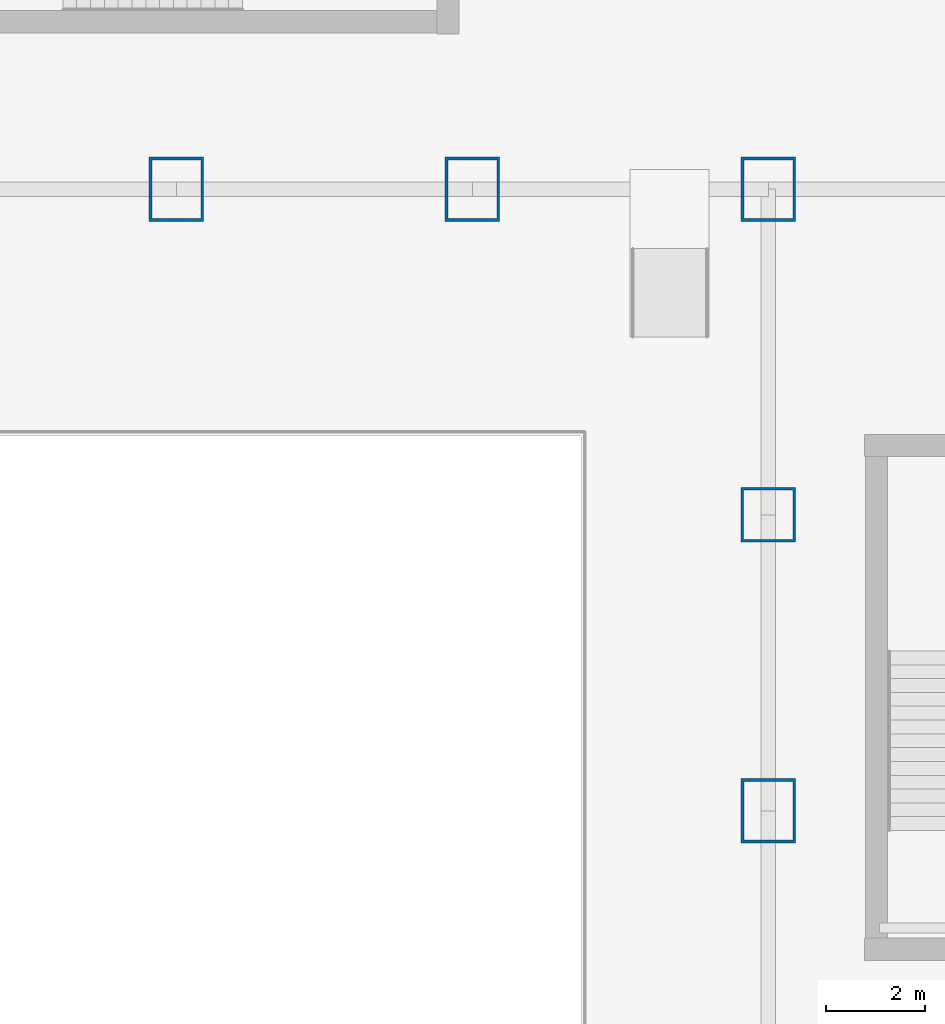
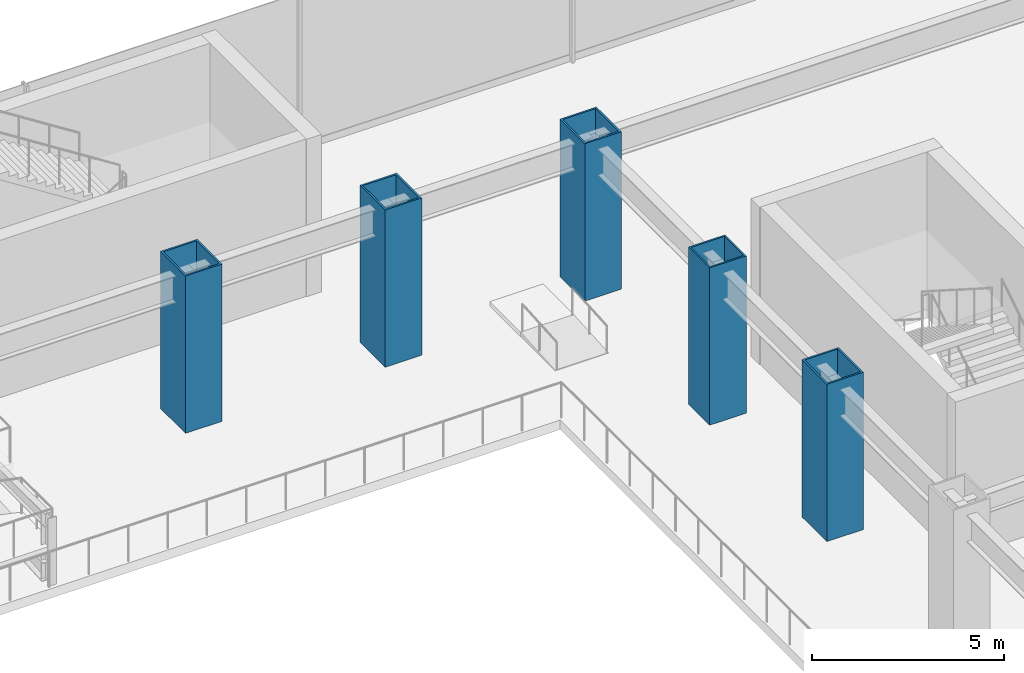
# One storey, part 3 of 39: 5 columns.
"""IFC4 building model written with IfcOpenShell, lengths in metres."""

from ifc_helpers import new_model, si_unit, derived_unit, direction, frame, origin, origin_2d, place, context, subcontext, project, spatial, hollow_rectangle, extrude, source, transform, mapped, material, material_profile, profile_set, type_object, element, save


model = new_model("IFC4")

# Units and contexts
model_context = context("Model", 3, precision=1e-05, world=origin(), true_north=direction((0.0, 1.0)))
body_context = subcontext(model_context, "Body", "Model", "MODEL_VIEW")
ifc_project = project(units=[si_unit("LENGTHUNIT", "METRE"), si_unit("AREAUNIT", "SQUARE_METRE"), si_unit("VOLUMEUNIT", "CUBIC_METRE"), si_unit("PLANEANGLEUNIT", "RADIAN"), si_unit("MASSUNIT", "GRAM", prefix="KILO"), derived_unit("THERMALTRANSMITTANCEUNIT", [(si_unit("POWERUNIT", "WATT"), 1), (si_unit("LENGTHUNIT", "METRE"), -2), (si_unit("THERMODYNAMICTEMPERATUREUNIT", "KELVIN"), -1)])], contexts=[model_context])

# Site, building, storey
site_placement = place(None, origin())
site = spatial("IfcSite", under=ifc_project, at=site_placement, CompositionType="ELEMENT")
building_placement = place(site_placement, origin())
building = spatial("IfcBuilding", under=site, at=building_placement, Name="Skarnbrae Concourse Arena and Tower", CompositionType="ELEMENT")
storey_placement = place(building_placement, frame((0.0, 0.0, 16.0)))
storey = spatial("IfcBuildingStorey", under=building, at=storey_placement, Name="L03", CompositionType="ELEMENT", Elevation=16.0)

# Columns
ifc_material = material(Name="Steel CSA G40.21 350W", Category="steel")
ifc_material_profile_1 = material_profile(ifc_material, hollow_rectangle(XDim=1.10009765625, YDim=1.10009765625, WallThickness=0.050048828125, at=origin_2d()), Name="BOX1100X1100X50")
ifc_profile_set_1 = profile_set([ifc_material_profile_1], Name="Steel CSA G40.21 350W")
column_type_1 = type_object("IfcColumnType", Name="COL-MEGA-BOX1100", PredefinedType="PILASTER", material=ifc_profile_set_1)
shared_shape_1 = source(origin(), body_context, "Body", "SweptSolid", [
    extrude(hollow_rectangle(XDim=1.10009765625, YDim=1.10009765625, WallThickness=0.050048828125, at=origin_2d()), origin(), (0.0, 0.0, 1.0), 5.0),
])
column_placement = place(storey_placement, frame((61.0, 40.39990234375, 0.0), z_axis=(0.0, 0.0, 1.0), x_axis=(1.0, 0.0, 0.0)))
element("IfcColumn", 1, at=column_placement, inside=storey, type_object=column_type_1, Name="L03 Podium mega-column MC-E4", PredefinedType="PILASTER", context=body_context, shape_type="MappedRepresentation", body=[
    mapped(shared_shape_1, transform((0.0, 0.0, 0.0))),
])
ifc_material_profile_2 = material_profile(ifc_material, hollow_rectangle(XDim=1.10009765625, YDim=1.300048828125, WallThickness=0.054931640625, at=origin_2d()), Name="BOX1300X1100X55")
ifc_profile_set_2 = profile_set([ifc_material_profile_2], Name="Steel CSA G40.21 350W")
column_type_2 = type_object("IfcColumnType", Name="COL-MEGA-BOX1300", PredefinedType="PILASTER", material=ifc_profile_set_2)
shared_shape_2 = source(origin(), body_context, "Body", "SweptSolid", [
    extrude(hollow_rectangle(XDim=1.10009765625, YDim=1.300048828125, WallThickness=0.054931640625, at=origin_2d()), origin(), (0.0, 0.0, 1.0), 5.0),
])
for number, where, z_axis, x_axis, name in (
    (2, (49.0, 47.0, 0.0), (0.0, 0.0, 1.0), (1.0, 0.0, 0.0), "L03 Podium mega-column MC-N8"),
    (3, (55.0, 47.0, 0.0), (0.0, 0.0, 1.0), (1.0, 0.0, 0.0), "L03 Podium mega-column MC-N9"),
    (4, (61.0, 47.0, 0.0), (0.0, 0.0, 1.0), (1.0, 0.0, 0.0), "L03 Podium mega-column MC-N10"),
    (5, (61.0, 34.39990234375, 0.0), (0.0, 0.0, 1.0), (1.0, 0.0, 0.0), "L03 Podium mega-column MC-E3"),
):
    element("IfcColumn", number, at=place(storey_placement, frame(where, z_axis=z_axis, x_axis=x_axis)), inside=storey, type_object=column_type_2, Name=name, PredefinedType="PILASTER", context=body_context, shape_type="MappedRepresentation", body=[
        mapped(shared_shape_2, transform((0.0, 0.0, 0.0))),
    ])

save(model, "model.ifc")
